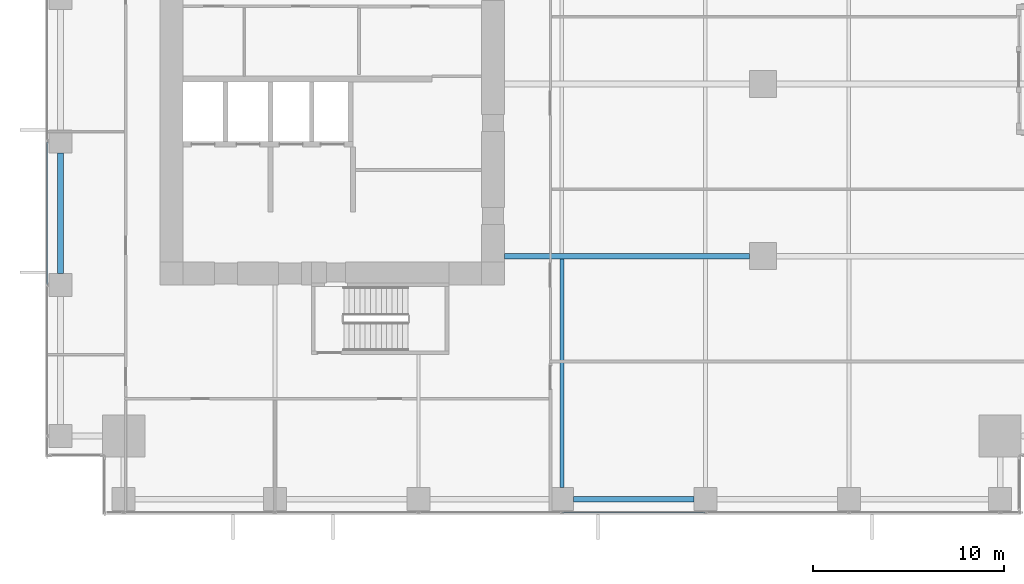
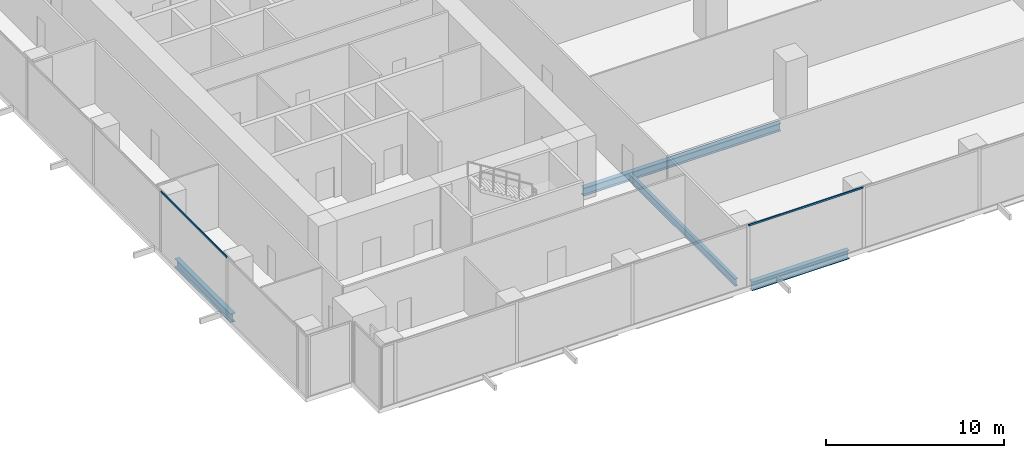
# One storey, part 4 of 32: 4 beams, 2 members, 2 elements without a shape of their own.
"""IFC4 building model written with IfcOpenShell, lengths in metres."""

from ifc_helpers import new_model, si_unit, direction, frame, origin, origin_2d, place, context, subcontext, project, spatial, hollow_rectangle, i_section, extrude, source, transform, mapped, material, material_profile, profile_set, type_object, element, aggregate, save


model = new_model("IFC4")

# Units and contexts
model_context = context("Model", 3, precision=1e-05, world=origin(), true_north=direction((0.0, 1.0)))
body_context = subcontext(model_context, "Body", "Model", "MODEL_VIEW")
ifc_project = project(units=[si_unit("LENGTHUNIT", "METRE"), si_unit("AREAUNIT", "SQUARE_METRE"), si_unit("VOLUMEUNIT", "CUBIC_METRE"), si_unit("PLANEANGLEUNIT", "RADIAN"), si_unit("MASSUNIT", "GRAM", prefix="KILO")], contexts=[model_context])

# Site, building, storey
site_placement = place(None, origin())
site = spatial("IfcSite", under=ifc_project, at=site_placement, CompositionType="ELEMENT")
building_placement = place(site_placement, origin())
building = spatial("IfcBuilding", under=site, at=building_placement, Name="Khomas Fold Tower", CompositionType="ELEMENT")
storey_placement = place(building_placement, frame((0.0, 0.0, 42.0)))
storey = spatial("IfcBuildingStorey", under=building, at=storey_placement, Name="L08", CompositionType="ELEMENT", Elevation=42.0)

# Beams
ifc_material_1 = material(Name="Steel S355", Category="steel")
ifc_material_profile_1 = material_profile(ifc_material_1, i_section(OverallWidth=0.300048828125, OverallDepth=0.550048828125, WebThickness=0.014892578125, FlangeThickness=0.029052734375, at=origin_2d()), Name="HE 550 B")
ifc_profile_set_1 = profile_set([ifc_material_profile_1], Name="Steel S355")
beam_type_1 = type_object("IfcBeamType", Name="HE 550 B beam GB4", PredefinedType="BEAM", material=ifc_profile_set_1)
shared_shape_1 = source(origin(), body_context, "Body", "SweptSolid", [
    extrude(i_section(OverallWidth=0.300048828125, OverallDepth=0.550048828125, WebThickness=0.014892578125, FlangeThickness=0.029052734375, at=origin_2d()), origin(), (0.0, 0.0, 1.0), 12.800048828125),
])
beam_1_placement = place(storey_placement, frame((24.0, 13.5, -0.574951171875), z_axis=(1.0, 0.0, 0.0), x_axis=(0.0, 1.0, 0.0)))
element("IfcBeam", 1, at=beam_1_placement, inside=storey, type_object=beam_type_1, Name="GB4", PredefinedType="BEAM", context=body_context, shape_type="MappedRepresentation", body=[
    mapped(shared_shape_1, transform((0.0, 0.0, 0.0))),
])
ifc_material_2 = material(Name="Steel S355", Category="steel")
ifc_material_profile_2 = material_profile(ifc_material_2, i_section(OverallWidth=0.300048828125, OverallDepth=0.60009765625, WebThickness=0.015380859375, FlangeThickness=0.030029296875, at=origin_2d()), Name="HE 600 B")
ifc_profile_set_2 = profile_set([ifc_material_profile_2], Name="Steel S355")
beam_type_2 = type_object("IfcBeamType", Name="HE 600 B spandrel SB1", PredefinedType="SPANDREL", material=ifc_profile_set_2)
shared_shape_2 = source(origin(), body_context, "Body", "SweptSolid", [
    extrude(i_section(OverallWidth=0.300048828125, OverallDepth=0.60009765625, WebThickness=0.015380859375, FlangeThickness=0.030029296875, at=origin_2d()), origin(), (0.0, 0.0, 1.0), 6.2998046875),
])
for number, where, z_axis, x_axis, name in (
    (2, (27.60009765625, 0.800048828125, -0.60009765625), (1.0, 0.0, 0.0), (0.0, 1.0, 0.0), "SB1"),
    (3, (0.800048828125, 12.60009765625, -0.60009765625), (0.0, 1.0, 0.0), (-1.0, 0.0, 0.0), "SB1"),
):
    element("IfcBeam", number, at=place(storey_placement, frame(where, z_axis=z_axis, x_axis=x_axis)), inside=storey, type_object=beam_type_2, Name=name, PredefinedType="SPANDREL", context=body_context, shape_type="MappedRepresentation", body=[
        mapped(shared_shape_2, transform((0.0, 0.0, 0.0))),
    ])
ifc_material_3 = material(Name="Steel S355", Category="steel")
ifc_material_profile_3 = material_profile(ifc_material_3, i_section(OverallWidth=0.199951171875, OverallDepth=0.5, WebThickness=0.01025390625, FlangeThickness=0.01611328125, at=origin_2d()), Name="IPE 500")
ifc_profile_set_3 = profile_set([ifc_material_profile_3], Name="Steel S355")
beam_type_3 = type_object("IfcBeamType", Name="IPE 500 beam JB5", PredefinedType="BEAM", material=ifc_profile_set_3)
shared_shape_3 = source(origin(), body_context, "Body", "SweptSolid", [
    extrude(i_section(OverallWidth=0.199951171875, OverallDepth=0.5, WebThickness=0.01025390625, FlangeThickness=0.01611328125, at=origin_2d()), origin(), (0.0, 0.0, 1.0), 11.9501953125),
])
beam_2_placement = place(storey_placement, frame((27.0, 1.39990234375, -0.550048828125), z_axis=(0.0, 1.0, 0.0), x_axis=(-1.0, 0.0, 0.0)))
element("IfcBeam", 4, at=beam_2_placement, inside=storey, type_object=beam_type_3, Name="JB5", PredefinedType="BEAM", context=body_context, shape_type="MappedRepresentation", body=[
    mapped(shared_shape_3, transform((0.0, 0.0, 0.0))),
])

# Curtain wall, member
ifc_material_4 = material(Name="Aluminium framed double glazing", Category="aluminium")
curtain_wall_type = type_object("IfcCurtainWallType", Name="SK-Unitised clear-glass wall, growing floors CW1", PredefinedType="NOTDEFINED", material=ifc_material_4)
curtain_wall_1_placement = place(storey_placement, origin())
curtain_wall_1 = element("IfcCurtainWall", 5, at=curtain_wall_1_placement, inside=storey, type_object=curtain_wall_type, Name="CW1 run L08 00-0", PredefinedType="NOTDEFINED")
ifc_material_5 = material(Name="Aluminium", Category="aluminium")
ifc_material_profile_4 = material_profile(ifc_material_5, hollow_rectangle(XDim=0.06005859375, YDim=0.1201171875, WallThickness=0.00390625, at=origin_2d()), Name="SK-Unitised clear-glass wall, growing floors transom CW1-T")
ifc_profile_set_4 = profile_set([ifc_material_profile_4], Name="Aluminium")
member_type = type_object("IfcMemberType", Name="SK-Unitised clear-glass wall, growing floors transom CW1-T", PredefinedType="USERDEFINED", material=ifc_profile_set_4)
shared_shape_4 = source(origin(), body_context, "Body", "SweptSolid", [
    extrude(hollow_rectangle(XDim=0.06005859375, YDim=0.1201171875, WallThickness=0.00390625, at=origin_2d()), origin(), (0.0, 0.0, 1.0), 7.43994140625),
])
member_1_placement = place(storey_placement, frame((27.030029296875, 0.10009765625, 4.139892578125), z_axis=(1.0, 0.0, 0.0), x_axis=(0.0, 1.0, 0.0)))
member_1 = element("IfcMember", 6, at=member_1_placement, type_object=member_type, Name="CW1 transom 5", ObjectType="TRANSOM", PredefinedType="USERDEFINED", context=body_context, shape_type="MappedRepresentation", body=[
    mapped(shared_shape_4, transform((0.0, 0.0, 0.0))),
])
aggregate(curtain_wall_1, [member_1])

curtain_wall_2_placement = place(storey_placement, origin())
curtain_wall_2 = element("IfcCurtainWall", 7, at=curtain_wall_2_placement, inside=storey, type_object=curtain_wall_type, Name="CW1 run L08 09-0", PredefinedType="NOTDEFINED")
member_2_placement = place(storey_placement, frame((0.10009765625, 19.469970703125, 4.139892578125), z_axis=(0.0, -1.0, 0.0), x_axis=(1.0, 0.0, 0.0)))
member_2 = element("IfcMember", 8, at=member_2_placement, type_object=member_type, Name="CW1 transom 6", ObjectType="TRANSOM", PredefinedType="USERDEFINED", context=body_context, shape_type="MappedRepresentation", body=[
    mapped(shared_shape_4, transform((0.0, 0.0, 0.0))),
])
aggregate(curtain_wall_2, [member_2])

save(model, "model.ifc")
